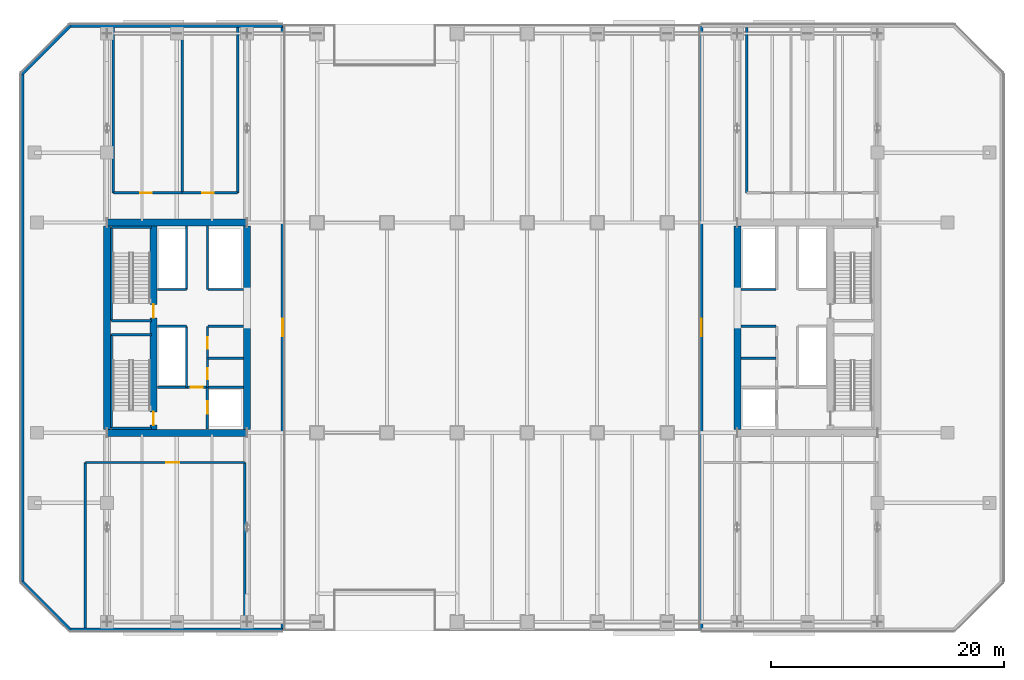
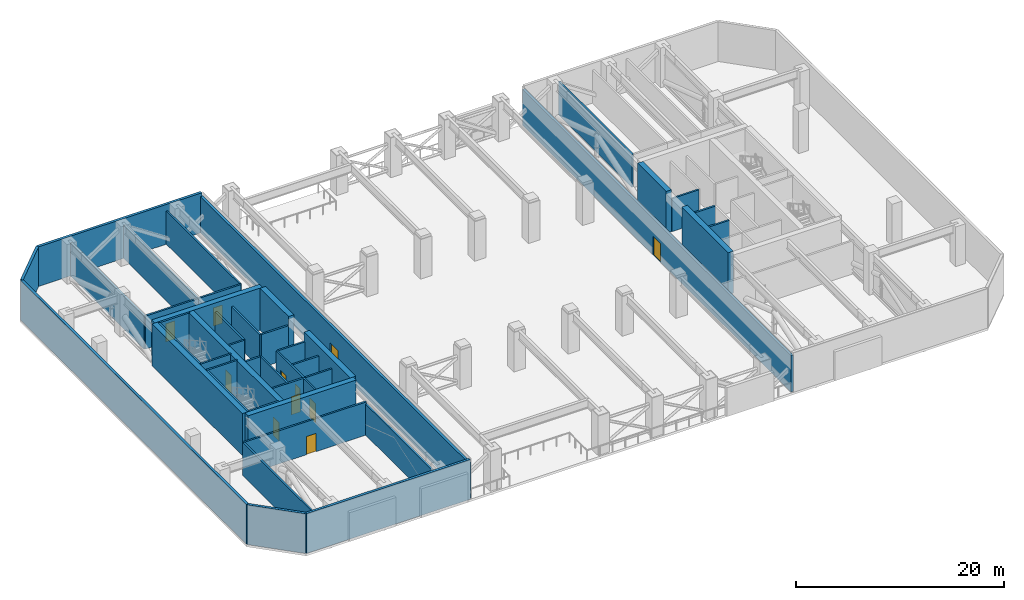
# One storey, part 11 of 22: 44 walls, 11 doors, 11 openings.
"""IFC4 building model written with IfcOpenShell, lengths in metres."""

from ifc_helpers import new_model, si_unit, direction, frame, frame_2d, origin, place, context, subcontext, project, spatial, rectangle, extrude, material, layer, layer_set, type_object, element, fill, save


model = new_model("IFC4")

# Units and contexts
model_context = context("Model", 3, precision=1e-05, world=origin(), true_north=direction((0.0, 1.0)))
body_context = subcontext(model_context, "Body", "Model", "MODEL_VIEW")
ifc_project = project(units=[si_unit("LENGTHUNIT", "METRE"), si_unit("AREAUNIT", "SQUARE_METRE"), si_unit("VOLUMEUNIT", "CUBIC_METRE"), si_unit("PLANEANGLEUNIT", "RADIAN"), si_unit("MASSUNIT", "GRAM", prefix="KILO")], contexts=[model_context])

# Site, building, storey
site_placement = place(None, origin())
site = spatial("IfcSite", under=ifc_project, at=site_placement, CompositionType="ELEMENT")
building_placement = place(site_placement, origin())
building = spatial("IfcBuilding", under=site, at=building_placement, Name="Tanjung Sevakor Pilgrim Tower", CompositionType="ELEMENT")
storey_placement = place(building_placement, frame((0.0, 0.0, 73.260009765625)))
storey = spatial("IfcBuildingStorey", under=building, at=storey_placement, Name="L20", CompositionType="ELEMENT", Elevation=73.260009765625)

# Walls
ifc_material_1 = material(Name="Concrete C60/75", Category="concrete")
ifc_layer_1 = layer(ifc_material_1, 0.60009765625)
ifc_layer_set_1 = layer_set([ifc_layer_1], Name="WALL-CW-600")
wall_type_1 = type_object("IfcWallType", Name="WALL-CW-600", PredefinedType="SHEAR", material=ifc_layer_set_1)
for number, where, z_axis, x_axis, name in (
    (1, (24.0, 24.60009765625, 0.0), (0.0, 0.0, 1.0), (1.0, 0.0, 0.0), "L20 W Core South Shear Wall"),
    (2, (36.0, 42.60009765625, 0.0), (0.0, 0.0, 1.0), (-1.0, 0.0, 0.0), "L20 W Core North Shear Wall"),
):
    element("IfcWall", number, at=place(storey_placement, frame(where, z_axis=z_axis, x_axis=x_axis)), inside=storey, type_object=wall_type_1, Name=name, PredefinedType="SHEAR", context=body_context, shape_type="SweptSolid", body=[
        extrude(rectangle(XDim=12.0, YDim=0.60009765625, at=frame_2d((6.0, 0.0))), origin(), (0.0, 0.0, 1.0), 4.949951171875),
    ])
wall_1_placement = place(storey_placement, frame((24.0, 24.89990234375, 0.0), z_axis=(0.0, 0.0, 1.0), x_axis=(0.0, 1.0, 0.0)))
element("IfcWall", 3, at=wall_1_placement, inside=storey, type_object=wall_type_1, Name="L20 W Core Outer Shear Wall", PredefinedType="SHEAR", context=body_context, shape_type="SweptSolid", body=[
    extrude(rectangle(XDim=17.400146484375, YDim=0.60009765625, at=frame_2d((8.7001953125, 0.0))), origin(), (0.0, 0.0, 1.0), 4.949951171875),
])
wall_2_placement = place(storey_placement, frame((36.0, 24.89990234375, 0.0), z_axis=(0.0, 0.0, 1.0), x_axis=(0.0, 1.0, 0.0)))
element("IfcWall", 4, at=wall_2_placement, inside=storey, type_object=wall_type_1, Name="L20 W Core Inner Shear Wall South", PredefinedType="SHEAR", context=body_context, shape_type="SweptSolid", body=[
    extrude(rectangle(XDim=8.900146484375, YDim=0.60009765625, at=frame_2d((4.4501953125, 0.0))), origin(), (0.0, 0.0, 1.0), 4.949951171875),
])
wall_3_placement = place(storey_placement, frame((36.0, 36.800048828125, 0.0), z_axis=(0.0, 0.0, 1.0), x_axis=(0.0, 1.0, 0.0)))
element("IfcWall", 5, at=wall_3_placement, inside=storey, type_object=wall_type_1, Name="L20 W Core Inner Shear Wall North", PredefinedType="SHEAR", context=body_context, shape_type="SweptSolid", body=[
    extrude(rectangle(XDim=5.5, YDim=0.60009765625, at=frame_2d((2.75, 0.0))), origin(), (0.0, 0.0, 1.0), 4.949951171875),
])

# Wall, openings, doors
wall_4_placement = place(storey_placement, frame((28.0, 24.89990234375, 0.0), z_axis=(0.0, 0.0, 1.0), x_axis=(0.0, 1.0, 0.0)))
wall_4 = element("IfcWall", 6, at=wall_4_placement, inside=storey, type_object=wall_type_1, Name="L20 W Core Stair Spine Wall", PredefinedType="SHEAR", context=body_context, shape_type="SweptSolid", body=[
    extrude(rectangle(XDim=17.400146484375, YDim=0.60009765625, at=frame_2d((8.7001953125, 0.0))), origin(), (0.0, 0.0, 1.0), 4.949951171875),
])
opening_1_placement = place(wall_4_placement, frame((0.35009765625, 0.0, 0.0)))
opening_1 = element("IfcOpeningElement", 7, at=opening_1_placement, cuts=wall_4, Name="Opening ID-ST1", PredefinedType="OPENING", context=body_context, shape_type="SweptSolid", body=[
    extrude(rectangle(XDim=1.14990234375, YDim=2.14990234375, at=frame_2d((0.574951171875, 1.074951171875))), frame((0.0, 0.31005859375, 0.0), z_axis=(0.0, -1.0, 0.0), x_axis=(1.0, 0.0, 0.0)), (0.0, 0.0, 1.0), 0.6201171875),
])
opening_2_placement = place(wall_4_placement, frame((9.550048828125, 0.0, 0.0)))
opening_2 = element("IfcOpeningElement", 8, at=opening_2_placement, cuts=wall_4, Name="Opening ID-ST1", PredefinedType="OPENING", context=body_context, shape_type="SweptSolid", body=[
    extrude(rectangle(XDim=1.14990234375, YDim=2.14990234375, at=frame_2d((0.574951171875, 1.074951171875))), frame((0.0, 0.31005859375, 0.0), z_axis=(0.0, -1.0, 0.0), x_axis=(1.0, 0.0, 0.0)), (0.0, 0.0, 1.0), 0.6201171875),
])
ifc_material_2 = material(Name="Fire-Rated Steel S355J2", Category="steel")
door_type_1 = type_object("IfcDoorType", Name="DT-FIRE-1150", OperationType="NOTDEFINED", PredefinedType="DOOR", material=ifc_material_2)
door_1_placement = place(opening_1_placement, origin())
door_1 = element("IfcDoor", 9, at=door_1_placement, inside=storey, type_object=door_type_1, Name="L20 TS-W1 Stair Fire Door", OperationType="SINGLE_SWING_LEFT", OverallHeight=2.14990234375, OverallWidth=1.14990234375, PredefinedType="DOOR", context=body_context, shape_type="SweptSolid", body=[
    extrude(rectangle(XDim=1.14990234375, YDim=2.14990234375, at=frame_2d((0.574951171875, 1.074951171875))), frame((0.0, 0.02490234375, 0.0), z_axis=(0.0, -1.0, 0.0), x_axis=(1.0, 0.0, 0.0)), (0.0, 0.0, 1.0), 0.050048828125),
])
fill(opening_1, door_1)
door_2_placement = place(opening_2_placement, origin())
door_2 = element("IfcDoor", 10, at=door_2_placement, inside=storey, type_object=door_type_1, Name="L20 TS-W2 Stair Fire Door", OperationType="SINGLE_SWING_RIGHT", OverallHeight=2.14990234375, OverallWidth=1.14990234375, PredefinedType="DOOR", context=body_context, shape_type="SweptSolid", body=[
    extrude(rectangle(XDim=1.14990234375, YDim=2.14990234375, at=frame_2d((0.574951171875, 1.074951171875))), frame((0.0, 0.02490234375, 0.0), z_axis=(0.0, -1.0, 0.0), x_axis=(1.0, 0.0, 0.0)), (0.0, 0.0, 1.0), 0.050048828125),
])
fill(opening_2, door_2)

# Walls
wall_5_placement = place(storey_placement, frame((78.0, 24.89990234375, 0.0), z_axis=(0.0, 0.0, 1.0), x_axis=(0.0, 1.0, 0.0)))
element("IfcWall", 11, at=wall_5_placement, inside=storey, type_object=wall_type_1, Name="L20 E Core Inner Shear Wall South", PredefinedType="SHEAR", context=body_context, shape_type="SweptSolid", body=[
    extrude(rectangle(XDim=8.900146484375, YDim=0.60009765625, at=frame_2d((4.4501953125, 0.0))), origin(), (0.0, 0.0, 1.0), 4.949951171875),
])
wall_6_placement = place(storey_placement, frame((78.0, 36.800048828125, 0.0), z_axis=(0.0, 0.0, 1.0), x_axis=(0.0, 1.0, 0.0)))
element("IfcWall", 12, at=wall_6_placement, inside=storey, type_object=wall_type_1, Name="L20 E Core Inner Shear Wall North", PredefinedType="SHEAR", context=body_context, shape_type="SweptSolid", body=[
    extrude(rectangle(XDim=5.5, YDim=0.60009765625, at=frame_2d((2.75, 0.0))), origin(), (0.0, 0.0, 1.0), 4.949951171875),
])
ifc_material_3 = material(Name="Precast concrete C45/55", Category="concrete")
ifc_layer_2 = layer(ifc_material_3, 0.280029296875)
ifc_layer_set_2 = layer_set([ifc_layer_2], Name="WT-EW-STN2")
wall_type_2 = type_object("IfcWallType", Name="WT-EW-STN2", PredefinedType="SOLIDWALL", material=ifc_layer_set_2)
wall_7_placement = place(storey_placement, frame((20.85791015625, 7.739990234375, 0.0), z_axis=(0.0, 0.0, 1.0), x_axis=(1.0, 0.0, 0.0)))
element("IfcWall", 13, at=wall_7_placement, inside=storey, type_object=wall_type_2, Name="L20 West Refuge Wing Wall 1", PredefinedType="SOLIDWALL", context=body_context, shape_type="SweptSolid", body=[
    extrude(rectangle(XDim=18.2021484375, YDim=0.280029296875, at=frame_2d((9.10107421875, 0.0))), origin(), (0.0, 0.0, 1.0), 4.669921875),
])

# Wall, opening, door
wall_8_placement = place(storey_placement, frame((39.06005859375, 7.739990234375, 0.0), z_axis=(0.0, 0.0, 1.0), x_axis=(0.0, 1.0, 0.0)))
wall_8 = element("IfcWall", 14, at=wall_8_placement, inside=storey, type_object=wall_type_2, Name="L20 West Refuge Wing Wall 2", PredefinedType="SOLIDWALL", context=body_context, shape_type="SweptSolid", body=[
    extrude(rectangle(XDim=51.719970703125, YDim=0.280029296875, at=frame_2d((25.85986328125, 0.0))), origin(), (0.0, 0.0, 1.0), 4.24560546875),
])
opening_3_placement = place(wall_8_placement, frame((25.110107421875, 0.0, 0.0)))
opening_3 = element("IfcOpeningElement", 15, at=opening_3_placement, cuts=wall_8, Name="Opening ED-TER-1500", PredefinedType="OPENING", context=body_context, shape_type="SweptSolid", body=[
    extrude(rectangle(XDim=1.5, YDim=2.199951171875, at=frame_2d((0.75, 1.10009765625))), frame((0.0, 0.14990234375, 0.0), z_axis=(0.0, -1.0, 0.0), x_axis=(1.0, 0.0, 0.0)), (0.0, 0.0, 1.0), 0.300048828125),
])
ifc_material_4 = material(Name="Anodised Aluminium and Laminated Glass", Category="aluminium")
door_type_2 = type_object("IfcDoorType", Name="DTYP-ED-TER-1500", OperationType="DOUBLE_DOOR_SINGLE_SWING", PredefinedType="DOOR", material=ifc_material_4)
door_3_placement = place(opening_3_placement, origin())
door_3 = element("IfcDoor", 16, at=door_3_placement, inside=storey, type_object=door_type_2, Name="L20 West Turbine Portal Door", OperationType="SINGLE_SWING_RIGHT", OverallHeight=2.199951171875, OverallWidth=1.5, PredefinedType="DOOR", context=body_context, shape_type="SweptSolid", body=[
    extrude(rectangle(XDim=1.5, YDim=2.199951171875, at=frame_2d((0.75, 1.10009765625))), frame((0.0, 0.02490234375, 0.0), z_axis=(0.0, -1.0, 0.0), x_axis=(1.0, 0.0, 0.0)), (0.0, 0.0, 1.0), 0.050048828125),
])
fill(opening_3, door_3)

# Walls
wall_9_placement = place(storey_placement, frame((39.06005859375, 59.4599609375, 0.0), z_axis=(0.0, 0.0, 1.0), x_axis=(-1.0, 0.0, 0.0)))
element("IfcWall", 17, at=wall_9_placement, inside=storey, type_object=wall_type_2, Name="L20 West Refuge Wing Wall 3", PredefinedType="SOLIDWALL", context=body_context, shape_type="SweptSolid", body=[
    extrude(rectangle(XDim=18.2021484375, YDim=0.280029296875, at=frame_2d((9.10107421875, 0.0))), origin(), (0.0, 0.0, 1.0), 4.669921875),
])
wall_10_placement = place(storey_placement, frame((20.85791015625, 59.4599609375, 0.0), z_axis=(0.0, 0.0, 1.0), x_axis=(-0.707106781187, -0.707106781187, 0.0)))
element("IfcWall", 18, at=wall_10_placement, inside=storey, type_object=wall_type_2, Name="L20 West Refuge Wing Wall 4", PredefinedType="SOLIDWALL", context=body_context, shape_type="SweptSolid", body=[
    extrude(rectangle(XDim=5.82373046875, YDim=0.280029296875, at=frame_2d((2.911865234375, 0.0))), origin(), (0.0, 0.0, 1.0), 4.669921875),
])
wall_11_placement = place(storey_placement, frame((16.739990234375, 55.342041015625, 0.0), z_axis=(0.0, 0.0, 1.0), x_axis=(0.0, -1.0, 0.0)))
element("IfcWall", 19, at=wall_11_placement, inside=storey, type_object=wall_type_2, Name="L20 West Refuge Wing Wall 5", PredefinedType="SOLIDWALL", context=body_context, shape_type="SweptSolid", body=[
    extrude(rectangle(XDim=43.484130859375, YDim=0.280029296875, at=frame_2d((21.7421875, 0.0))), origin(), (0.0, 0.0, 1.0), 4.669921875),
])
wall_12_placement = place(storey_placement, frame((16.739990234375, 11.85791015625, 0.0), z_axis=(0.0, 0.0, 1.0), x_axis=(0.707106781187, -0.707106781187, 0.0)))
element("IfcWall", 20, at=wall_12_placement, inside=storey, type_object=wall_type_2, Name="L20 West Refuge Wing Wall 6", PredefinedType="SOLIDWALL", context=body_context, shape_type="SweptSolid", body=[
    extrude(rectangle(XDim=5.82373046875, YDim=0.280029296875, at=frame_2d((2.911865234375, 0.0))), origin(), (0.0, 0.0, 1.0), 4.669921875),
])

# Wall, opening, door
wall_13_placement = place(storey_placement, frame((74.93994140625, 59.4599609375, 0.0), z_axis=(0.0, 0.0, 1.0), x_axis=(0.0, -1.0, 0.0)))
wall_13 = element("IfcWall", 21, at=wall_13_placement, inside=storey, type_object=wall_type_2, Name="L20 East Refuge Wing Wall 6", PredefinedType="SOLIDWALL", context=body_context, shape_type="SweptSolid", body=[
    extrude(rectangle(XDim=51.719970703125, YDim=0.280029296875, at=frame_2d((25.85986328125, 0.0))), origin(), (0.0, 0.0, 1.0), 4.24560546875),
])
opening_4_placement = place(wall_13_placement, frame((25.110107421875, 0.0, 0.0)))
opening_4 = element("IfcOpeningElement", 22, at=opening_4_placement, cuts=wall_13, Name="Opening ED-TER-1500", PredefinedType="OPENING", context=body_context, shape_type="SweptSolid", body=[
    extrude(rectangle(XDim=1.5, YDim=2.199951171875, at=frame_2d((0.75, 1.10009765625))), frame((0.0, 0.14990234375, 0.0), z_axis=(0.0, -1.0, 0.0), x_axis=(1.0, 0.0, 0.0)), (0.0, 0.0, 1.0), 0.300048828125),
])
door_4_placement = place(opening_4_placement, origin())
door_4 = element("IfcDoor", 23, at=door_4_placement, inside=storey, type_object=door_type_2, Name="L20 East Turbine Portal Door", OperationType="SINGLE_SWING_LEFT", OverallHeight=2.199951171875, OverallWidth=1.5, PredefinedType="DOOR", context=body_context, shape_type="SweptSolid", body=[
    extrude(rectangle(XDim=1.5, YDim=2.199951171875, at=frame_2d((0.75, 1.10009765625))), frame((0.0, 0.02490234375, 0.0), z_axis=(0.0, -1.0, 0.0), x_axis=(1.0, 0.0, 0.0)), (0.0, 0.0, 1.0), 0.050048828125),
])
fill(opening_4, door_4)

# Walls
ifc_material_5 = material(Name="Concrete C40/50", Category="concrete")
ifc_layer_3 = layer(ifc_material_5, 0.199951171875)
ifc_layer_set_3 = layer_set([ifc_layer_3], Name="WT-FIRE-200")
wall_type_3 = type_object("IfcWallType", Name="WT-FIRE-200", PredefinedType="SOLIDWALL", material=ifc_layer_set_3)
for number, where, z_axis, x_axis, name in (
    (24, (24.39990234375, 25.0, 0.0), (0.0, 0.0, 1.0), (1.0, 0.0, 0.0), "L20 TS-W1 Shaft Wall 1"),
    (25, (27.800048828125, 33.0, 0.0), (0.0, 0.0, 1.0), (-1.0, 0.0, 0.0), "L20 TS-W1 Shaft Wall 2"),
):
    element("IfcWall", number, at=place(storey_placement, frame(where, z_axis=z_axis, x_axis=x_axis)), inside=storey, type_object=wall_type_3, Name=name, PredefinedType="SOLIDWALL", context=body_context, shape_type="SweptSolid", body=[
        extrude(rectangle(XDim=3.400146484375, YDim=0.199951171875, at=frame_2d((1.7001953125, 0.0))), origin(), (0.0, 0.0, 1.0), 4.949951171875),
    ])
wall_14_placement = place(storey_placement, frame((24.39990234375, 33.0, 0.0), z_axis=(0.0, 0.0, 1.0), x_axis=(0.0, -1.0, 0.0)))
element("IfcWall", 26, at=wall_14_placement, inside=storey, type_object=wall_type_3, Name="L20 TS-W1 Shaft Wall 3", PredefinedType="SOLIDWALL", context=body_context, shape_type="SweptSolid", body=[
    extrude(rectangle(XDim=8.0, YDim=0.199951171875, at=frame_2d((4.0, 0.0))), origin(), (0.0, 0.0, 1.0), 4.949951171875),
])
for number, where, z_axis, x_axis, name in (
    (27, (24.39990234375, 34.199951171875, 0.0), (0.0, 0.0, 1.0), (1.0, 0.0, 0.0), "L20 TS-W2 Shaft Wall 1"),
    (28, (27.800048828125, 42.199951171875, 0.0), (0.0, 0.0, 1.0), (-1.0, 0.0, 0.0), "L20 TS-W2 Shaft Wall 2"),
):
    element("IfcWall", number, at=place(storey_placement, frame(where, z_axis=z_axis, x_axis=x_axis)), inside=storey, type_object=wall_type_3, Name=name, PredefinedType="SOLIDWALL", context=body_context, shape_type="SweptSolid", body=[
        extrude(rectangle(XDim=3.400146484375, YDim=0.199951171875, at=frame_2d((1.7001953125, 0.0))), origin(), (0.0, 0.0, 1.0), 4.949951171875),
    ])
wall_15_placement = place(storey_placement, frame((24.39990234375, 42.199951171875, 0.0), z_axis=(0.0, 0.0, 1.0), x_axis=(0.0, -1.0, 0.0)))
element("IfcWall", 29, at=wall_15_placement, inside=storey, type_object=wall_type_3, Name="L20 TS-W2 Shaft Wall 3", PredefinedType="SOLIDWALL", context=body_context, shape_type="SweptSolid", body=[
    extrude(rectangle(XDim=8.0, YDim=0.199951171875, at=frame_2d((4.0, 0.0))), origin(), (0.0, 0.0, 1.0), 4.949951171875),
])

# Wall, opening, door
ifc_material_6 = material(Name="Concrete C40/50", Category="concrete")
ifc_layer_4 = layer(ifc_material_6, 0.199951171875)
ifc_layer_set_4 = layer_set([ifc_layer_4], Name="WT-FPRT-200")
wall_type_4 = type_object("IfcWallType", Name="WT-FPRT-200", PredefinedType="SOLIDWALL", material=ifc_layer_set_4)
wall_16_placement = place(storey_placement, frame((32.60009765625, 24.919921875, 0.0), z_axis=(0.0, 0.0, 1.0), x_axis=(0.0, 1.0, 0.0)))
wall_16 = element("IfcWall", 30, at=wall_16_placement, inside=storey, type_object=wall_type_4, Name="L20 Partition IW-L20-001", PredefinedType="SOLIDWALL", context=body_context, shape_type="SweptSolid", body=[
    extrude(rectangle(XDim=3.580078125, YDim=0.199951171875, at=frame_2d((1.7900390625, 0.0))), origin(), (0.0, 0.0, 1.0), 3.889892578125),
])
opening_5_placement = place(wall_16_placement, frame((1.300048828125, 0.0, 0.0)))
opening_5 = element("IfcOpeningElement", 31, at=opening_5_placement, cuts=wall_16, Name="Opening LD-1100", PredefinedType="OPENING", context=body_context, shape_type="SweptSolid", body=[
    extrude(rectangle(XDim=1.10009765625, YDim=2.199951171875, at=frame_2d((0.550048828125, 1.10009765625))), frame((0.0, 0.10986328125, 0.0), z_axis=(0.0, -1.0, 0.0), x_axis=(1.0, 0.0, 0.0)), (0.0, 0.0, 1.0), 0.219970703125),
])
ifc_material_7 = material(Name="Brushed Stainless Steel S355J2", Category="steel")
door_type_3 = type_object("IfcDoorType", Name="DT-LIFT-1100", OperationType="SLIDING_TO_LEFT", PredefinedType="DOOR", material=ifc_material_7)
door_5_placement = place(opening_5_placement, origin())
door_5 = element("IfcDoor", 32, at=door_5_placement, inside=storey, type_object=door_type_3, Name="LD-FL-W", OperationType="SLIDING_TO_LEFT", OverallHeight=2.199951171875, OverallWidth=1.10009765625, PredefinedType="DOOR", context=body_context, shape_type="SweptSolid", body=[
    extrude(rectangle(XDim=1.10009765625, YDim=2.199951171875, at=frame_2d((0.550048828125, 1.10009765625))), frame((0.0, 0.02490234375, 0.0), z_axis=(0.0, -1.0, 0.0), x_axis=(1.0, 0.0, 0.0)), (0.0, 0.0, 1.0), 0.050048828125),
])
fill(opening_5, door_5)

wall_17_placement = place(storey_placement, frame((28.320068359375, 28.5, 0.0), z_axis=(0.0, 0.0, 1.0), x_axis=(1.0, 0.0, 0.0)))
wall_17 = element("IfcWall", 33, at=wall_17_placement, inside=storey, type_object=wall_type_4, Name="L20 Partition IW-L20-002", PredefinedType="SOLIDWALL", context=body_context, shape_type="SweptSolid", body=[
    extrude(rectangle(XDim=7.35986328125, YDim=0.199951171875, at=frame_2d((3.679931640625, 0.0))), origin(), (0.0, 0.0, 1.0), 3.889892578125),
])
opening_6_placement = place(wall_17_placement, frame((2.8798828125, 0.0, 0.0)))
opening_6 = element("IfcOpeningElement", 34, at=opening_6_placement, cuts=wall_17, Name="Opening ID-FD1", PredefinedType="OPENING", context=body_context, shape_type="SweptSolid", body=[
    extrude(rectangle(XDim=1.0, YDim=2.14990234375, at=frame_2d((0.5, 1.074951171875))), frame((0.0, 0.10986328125, 0.0), z_axis=(0.0, -1.0, 0.0), x_axis=(1.0, 0.0, 0.0)), (0.0, 0.0, 1.0), 0.219970703125),
])
ifc_material_8 = material(Name="Fire-Rated Steel S355J2", Category="steel")
door_type_4 = type_object("IfcDoorType", Name="DT-FIRE-1000", OperationType="NOTDEFINED", PredefinedType="DOOR", material=ifc_material_8)
door_6_placement = place(opening_6_placement, origin())
door_6 = element("IfcDoor", 35, at=door_6_placement, inside=storey, type_object=door_type_4, Name="Fire Lobby Door W", OperationType="SINGLE_SWING_LEFT", OverallHeight=2.14990234375, OverallWidth=1.0, PredefinedType="DOOR", context=body_context, shape_type="SweptSolid", body=[
    extrude(rectangle(XDim=1.0, YDim=2.14990234375, at=frame_2d((0.5, 1.074951171875))), frame((0.0, 0.02490234375, 0.0), z_axis=(0.0, -1.0, 0.0), x_axis=(1.0, 0.0, 0.0)), (0.0, 0.0, 1.0), 0.050048828125),
])
fill(opening_6, door_6)

# Walls
wall_18_placement = place(storey_placement, frame((28.320068359375, 33.719970703125, 0.0), z_axis=(0.0, 0.0, 1.0), x_axis=(1.0, 0.0, 0.0)))
element("IfcWall", 36, at=wall_18_placement, inside=storey, type_object=wall_type_4, Name="L20 Partition IW-L20-003", PredefinedType="SOLIDWALL", context=body_context, shape_type="SweptSolid", body=[
    extrude(rectangle(XDim=2.47998046875, YDim=0.199951171875, at=frame_2d((1.239990234375, 0.0))), origin(), (0.0, 0.0, 1.0), 3.889892578125),
])
wall_19_placement = place(storey_placement, frame((30.820068359375, 28.5, 0.0), z_axis=(0.0, 0.0, 1.0), x_axis=(0.0, 1.0, 0.0)))
element("IfcWall", 37, at=wall_19_placement, inside=storey, type_object=wall_type_4, Name="L20 Partition IW-L20-004", PredefinedType="SOLIDWALL", context=body_context, shape_type="SweptSolid", body=[
    extrude(rectangle(XDim=5.219970703125, YDim=0.199951171875, at=frame_2d((2.60986328125, 0.0))), origin(), (0.0, 0.0, 1.0), 3.889892578125),
])
for number, where, z_axis, x_axis, name in (
    (38, (32.679931640625, 30.97998046875, 0.0), (0.0, 0.0, 1.0), (1.0, 0.0, 0.0), "L20 Partition IW-L20-005"),
    (39, (32.679931640625, 33.719970703125, 0.0), (0.0, 0.0, 1.0), (1.0, 0.0, 0.0), "L20 Partition IW-L20-006"),
):
    element("IfcWall", number, at=place(storey_placement, frame(where, z_axis=z_axis, x_axis=x_axis)), inside=storey, type_object=wall_type_4, Name=name, PredefinedType="SOLIDWALL", context=body_context, shape_type="SweptSolid", body=[
        extrude(rectangle(XDim=3.0, YDim=0.199951171875, at=frame_2d((1.5, 0.0))), origin(), (0.0, 0.0, 1.0), 3.889892578125),
    ])

# Wall, openings, doors
wall_20_placement = place(storey_placement, frame((32.6201171875, 28.5, 0.0), z_axis=(0.0, 0.0, 1.0), x_axis=(0.0, 1.0, 0.0)))
wall_20 = element("IfcWall", 40, at=wall_20_placement, inside=storey, type_object=wall_type_4, Name="L20 Partition IW-L20-007", PredefinedType="SOLIDWALL", context=body_context, shape_type="SweptSolid", body=[
    extrude(rectangle(XDim=5.219970703125, YDim=0.199951171875, at=frame_2d((2.60986328125, 0.0))), origin(), (0.0, 0.0, 1.0), 3.889892578125),
])
opening_7_placement = place(wall_20_placement, frame((0.699951171875, 0.0, 0.0)))
opening_7 = element("IfcOpeningElement", 41, at=opening_7_placement, cuts=wall_20, Name="Opening ID-FD2", PredefinedType="OPENING", context=body_context, shape_type="SweptSolid", body=[
    extrude(rectangle(XDim=0.949951171875, YDim=2.14990234375, at=frame_2d((0.47509765625, 1.074951171875))), frame((0.0, 0.10986328125, 0.0), z_axis=(0.0, -1.0, 0.0), x_axis=(1.0, 0.0, 0.0)), (0.0, 0.0, 1.0), 0.219970703125),
])
opening_8_placement = place(wall_20_placement, frame((3.300048828125, 0.0, 0.0)))
opening_8 = element("IfcOpeningElement", 42, at=opening_8_placement, cuts=wall_20, Name="Opening ID-FD1", PredefinedType="OPENING", context=body_context, shape_type="SweptSolid", body=[
    extrude(rectangle(XDim=1.0, YDim=2.14990234375, at=frame_2d((0.5, 1.074951171875))), frame((0.0, 0.10986328125, 0.0), z_axis=(0.0, -1.0, 0.0), x_axis=(1.0, 0.0, 0.0)), (0.0, 0.0, 1.0), 0.219970703125),
])
door_7_placement = place(opening_8_placement, origin())
door_7 = element("IfcDoor", 43, at=door_7_placement, inside=storey, type_object=door_type_4, Name="L20 Core AHU Plant Door", OperationType="SINGLE_SWING_LEFT", OverallHeight=2.14990234375, OverallWidth=1.0, PredefinedType="DOOR", context=body_context, shape_type="SweptSolid", body=[
    extrude(rectangle(XDim=1.0, YDim=2.14990234375, at=frame_2d((0.5, 1.074951171875))), frame((0.0, 0.02490234375, 0.0), z_axis=(0.0, -1.0, 0.0), x_axis=(1.0, 0.0, 0.0)), (0.0, 0.0, 1.0), 0.050048828125),
])
fill(opening_8, door_7)
ifc_material_9 = material(Name="Fire-Rated Timber", Category="wood")
door_type_5 = type_object("IfcDoorType", Name="DT-FIRE-950", OperationType="NOTDEFINED", PredefinedType="DOOR", material=ifc_material_9)
door_8_placement = place(opening_7_placement, origin())
door_8 = element("IfcDoor", 44, at=door_8_placement, inside=storey, type_object=door_type_5, Name="L20 Core Accessible WC Door", OperationType="SINGLE_SWING_RIGHT", OverallHeight=2.14990234375, OverallWidth=0.949951171875, PredefinedType="DOOR", context=body_context, shape_type="SweptSolid", body=[
    extrude(rectangle(XDim=0.949951171875, YDim=2.14990234375, at=frame_2d((0.47509765625, 1.074951171875))), frame((0.0, 0.02490234375, 0.0), z_axis=(0.0, -1.0, 0.0), x_axis=(1.0, 0.0, 0.0)), (0.0, 0.0, 1.0), 0.050048828125),
])
fill(opening_7, door_8)

# Walls
wall_21_placement = place(storey_placement, frame((28.320068359375, 36.8798828125, 0.0), z_axis=(0.0, 0.0, 1.0), x_axis=(1.0, 0.0, 0.0)))
element("IfcWall", 45, at=wall_21_placement, inside=storey, type_object=wall_type_4, Name="L20 Partition IW-L20-008", PredefinedType="SOLIDWALL", context=body_context, shape_type="SweptSolid", body=[
    extrude(rectangle(XDim=2.47998046875, YDim=0.199951171875, at=frame_2d((1.239990234375, 0.0))), origin(), (0.0, 0.0, 1.0), 3.889892578125),
])
wall_22_placement = place(storey_placement, frame((30.820068359375, 36.8798828125, 0.0), z_axis=(0.0, 0.0, 1.0), x_axis=(0.0, 1.0, 0.0)))
element("IfcWall", 46, at=wall_22_placement, inside=storey, type_object=wall_type_4, Name="L20 Partition IW-L20-009", PredefinedType="SOLIDWALL", context=body_context, shape_type="SweptSolid", body=[
    extrude(rectangle(XDim=5.420166015625, YDim=0.199951171875, at=frame_2d((2.7099609375, 0.0))), origin(), (0.0, 0.0, 1.0), 3.889892578125),
])
wall_23_placement = place(storey_placement, frame((32.679931640625, 36.8798828125, 0.0), z_axis=(0.0, 0.0, 1.0), x_axis=(1.0, 0.0, 0.0)))
element("IfcWall", 47, at=wall_23_placement, inside=storey, type_object=wall_type_4, Name="L20 Partition IW-L20-010", PredefinedType="SOLIDWALL", context=body_context, shape_type="SweptSolid", body=[
    extrude(rectangle(XDim=3.0, YDim=0.199951171875, at=frame_2d((1.5, 0.0))), origin(), (0.0, 0.0, 1.0), 3.889892578125),
])
wall_24_placement = place(storey_placement, frame((32.6201171875, 36.8798828125, 0.0), z_axis=(0.0, 0.0, 1.0), x_axis=(0.0, 1.0, 0.0)))
element("IfcWall", 48, at=wall_24_placement, inside=storey, type_object=wall_type_4, Name="L20 Partition IW-L20-011", PredefinedType="SOLIDWALL", context=body_context, shape_type="SweptSolid", body=[
    extrude(rectangle(XDim=5.420166015625, YDim=0.199951171875, at=frame_2d((2.7099609375, 0.0))), origin(), (0.0, 0.0, 1.0), 3.889892578125),
])
for number, where, z_axis, x_axis, name in (
    (49, (78.320068359375, 30.97998046875, 0.0), (0.0, 0.0, 1.0), (1.0, 0.0, 0.0), "L20 Partition IW-L20-016"),
    (50, (78.320068359375, 33.719970703125, 0.0), (0.0, 0.0, 1.0), (1.0, 0.0, 0.0), "L20 Partition IW-L20-017"),
    (51, (78.320068359375, 36.8798828125, 0.0), (0.0, 0.0, 1.0), (1.0, 0.0, 0.0), "L20 Partition IW-L20-021"),
):
    element("IfcWall", number, at=place(storey_placement, frame(where, z_axis=z_axis, x_axis=x_axis)), inside=storey, type_object=wall_type_4, Name=name, PredefinedType="SOLIDWALL", context=body_context, shape_type="SweptSolid", body=[
        extrude(rectangle(XDim=3.0, YDim=0.199951171875, at=frame_2d((1.5, 0.0))), origin(), (0.0, 0.0, 1.0), 3.889892578125),
    ])

# Wall, opening, door
wall_25_placement = place(storey_placement, frame((22.14990234375, 22.050048828125, 0.0), z_axis=(0.0, 0.0, 1.0), x_axis=(1.0, 0.0, 0.0)))
wall_25 = element("IfcWall", 52, at=wall_25_placement, inside=storey, type_object=wall_type_4, Name="L20 Partition IW-L20-023", PredefinedType="SOLIDWALL", context=body_context, shape_type="SweptSolid", body=[
    extrude(rectangle(XDim=13.650146484375, YDim=0.199951171875, at=frame_2d((6.8251953125, 0.0))), origin(), (0.0, 0.0, 1.0), 3.889892578125),
])
opening_9_placement = place(wall_25_placement, frame((6.949951171875, 0.0, 0.0)))
opening_9 = element("IfcOpeningElement", 53, at=opening_9_placement, cuts=wall_25, Name="Opening ID-FD0", PredefinedType="OPENING", context=body_context, shape_type="SweptSolid", body=[
    extrude(rectangle(XDim=1.10009765625, YDim=2.14990234375, at=frame_2d((0.550048828125, 1.074951171875))), frame((0.0, 0.10986328125, 0.0), z_axis=(0.0, -1.0, 0.0), x_axis=(1.0, 0.0, 0.0)), (0.0, 0.0, 1.0), 0.219970703125),
])
ifc_material_10 = material(Name="Fire-Rated Steel S355J2", Category="steel")
door_type_6 = type_object("IfcDoorType", Name="DT-FIRE-1100", OperationType="NOTDEFINED", PredefinedType="DOOR", material=ifc_material_10)
door_9_placement = place(opening_9_placement, origin())
door_9 = element("IfcDoor", 54, at=door_9_placement, inside=storey, type_object=door_type_6, Name="L20 Refuge West Lobby Door", OperationType="SINGLE_SWING_RIGHT", OverallHeight=2.14990234375, OverallWidth=1.10009765625, PredefinedType="DOOR", context=body_context, shape_type="SweptSolid", body=[
    extrude(rectangle(XDim=1.10009765625, YDim=2.14990234375, at=frame_2d((0.550048828125, 1.074951171875))), frame((0.0, 0.02490234375, 0.0), z_axis=(0.0, -1.0, 0.0), x_axis=(1.0, 0.0, 0.0)), (0.0, 0.0, 1.0), 0.050048828125),
])
fill(opening_9, door_9)

# Walls
wall_26_placement = place(storey_placement, frame((22.14990234375, 7.8798828125, 0.0), z_axis=(0.0, 0.0, 1.0), x_axis=(0.0, 1.0, 0.0)))
element("IfcWall", 55, at=wall_26_placement, inside=storey, type_object=wall_type_4, Name="L20 Partition IW-L20-024", PredefinedType="SOLIDWALL", context=body_context, shape_type="SweptSolid", body=[
    extrude(rectangle(XDim=14.170166015625, YDim=0.199951171875, at=frame_2d((7.0849609375, 0.0))), origin(), (0.0, 0.0, 1.0), 3.889892578125),
])
wall_27_placement = place(storey_placement, frame((35.800048828125, 7.8798828125, 0.0), z_axis=(0.0, 0.0, 1.0), x_axis=(0.0, 1.0, 0.0)))
element("IfcWall", 56, at=wall_27_placement, inside=storey, type_object=wall_type_4, Name="L20 Partition IW-L20-025", PredefinedType="SOLIDWALL", context=body_context, shape_type="SweptSolid", body=[
    extrude(rectangle(XDim=14.170166015625, YDim=0.199951171875, at=frame_2d((7.0849609375, 0.0))), origin(), (0.0, 0.0, 1.0), 3.64697265625),
])

# Wall, opening, door
wall_28_placement = place(storey_placement, frame((24.550048828125, 45.14990234375, 0.0), z_axis=(0.0, 0.0, 1.0), x_axis=(1.0, 0.0, 0.0)))
wall_28 = element("IfcWall", 57, at=wall_28_placement, inside=storey, type_object=wall_type_4, Name="L20 Partition IW-L20-026", PredefinedType="SOLIDWALL", context=body_context, shape_type="SweptSolid", body=[
    extrude(rectangle(XDim=5.89990234375, YDim=0.199951171875, at=frame_2d((2.949951171875, 0.0))), origin(), (0.0, 0.0, 1.0), 3.889892578125),
])
opening_10_placement = place(wall_28_placement, frame((2.300048828125, 0.0, 0.0)))
opening_10 = element("IfcOpeningElement", 58, at=opening_10_placement, cuts=wall_28, Name="Opening ID-FD1", PredefinedType="OPENING", context=body_context, shape_type="SweptSolid", body=[
    extrude(rectangle(XDim=1.0, YDim=2.14990234375, at=frame_2d((0.5, 1.074951171875))), frame((0.0, 0.10986328125, 0.0), z_axis=(0.0, -1.0, 0.0), x_axis=(1.0, 0.0, 0.0)), (0.0, 0.0, 1.0), 0.219970703125),
])
door_10_placement = place(opening_10_placement, origin())
door_10 = element("IfcDoor", 59, at=door_10_placement, inside=storey, type_object=door_type_4, Name="L20 West Tank Plant Door", OperationType="SINGLE_SWING_LEFT", OverallHeight=2.14990234375, OverallWidth=1.0, PredefinedType="DOOR", context=body_context, shape_type="SweptSolid", body=[
    extrude(rectangle(XDim=1.0, YDim=2.14990234375, at=frame_2d((0.5, 1.074951171875))), frame((0.0, 0.02490234375, 0.0), z_axis=(0.0, -1.0, 0.0), x_axis=(1.0, 0.0, 0.0)), (0.0, 0.0, 1.0), 0.050048828125),
])
fill(opening_10, door_10)

# Walls
for number, where, z_axis, x_axis, name in (
    (60, (24.550048828125, 45.14990234375, 0.0), (0.0, 0.0, 1.0), (0.0, 1.0, 0.0), "L20 Partition IW-L20-027"),
    (61, (30.449951171875, 45.14990234375, 0.0), (0.0, 0.0, 1.0), (0.0, 1.0, 0.0), "L20 Partition IW-L20-028"),
):
    element("IfcWall", number, at=place(storey_placement, frame(where, z_axis=z_axis, x_axis=x_axis)), inside=storey, type_object=wall_type_4, Name=name, PredefinedType="SOLIDWALL", context=body_context, shape_type="SweptSolid", body=[
        extrude(rectangle(XDim=14.170166015625, YDim=0.199951171875, at=frame_2d((7.0849609375, 0.0))), origin(), (0.0, 0.0, 1.0), 3.889892578125),
    ])

# Wall, opening, door
wall_29_placement = place(storey_placement, frame((30.449951171875, 45.14990234375, 0.0), z_axis=(0.0, 0.0, 1.0), x_axis=(1.0, 0.0, 0.0)))
wall_29 = element("IfcWall", 62, at=wall_29_placement, inside=storey, type_object=wall_type_4, Name="L20 Partition IW-L20-029", PredefinedType="SOLIDWALL", context=body_context, shape_type="SweptSolid", body=[
    extrude(rectangle(XDim=4.75, YDim=0.199951171875, at=frame_2d((2.375, 0.0))), origin(), (0.0, 0.0, 1.0), 3.889892578125),
])
opening_11_placement = place(wall_29_placement, frame((1.699951171875, 0.0, 0.0)))
opening_11 = element("IfcOpeningElement", 63, at=opening_11_placement, cuts=wall_29, Name="Opening ID-FD1", PredefinedType="OPENING", context=body_context, shape_type="SweptSolid", body=[
    extrude(rectangle(XDim=1.0, YDim=2.14990234375, at=frame_2d((0.5, 1.074951171875))), frame((0.0, 0.10986328125, 0.0), z_axis=(0.0, -1.0, 0.0), x_axis=(1.0, 0.0, 0.0)), (0.0, 0.0, 1.0), 0.219970703125),
])
door_11_placement = place(opening_11_placement, origin())
door_11 = element("IfcDoor", 64, at=door_11_placement, inside=storey, type_object=door_type_4, Name="L20 West AHU Plant Door", OperationType="SINGLE_SWING_RIGHT", OverallHeight=2.14990234375, OverallWidth=1.0, PredefinedType="DOOR", context=body_context, shape_type="SweptSolid", body=[
    extrude(rectangle(XDim=1.0, YDim=2.14990234375, at=frame_2d((0.5, 1.074951171875))), frame((0.0, 0.02490234375, 0.0), z_axis=(0.0, -1.0, 0.0), x_axis=(1.0, 0.0, 0.0)), (0.0, 0.0, 1.0), 0.050048828125),
])
fill(opening_11, door_11)

# Walls
for number, where, z_axis, x_axis, name in (
    (65, (35.199951171875, 45.14990234375, 0.0), (0.0, 0.0, 1.0), (0.0, 1.0, 0.0), "L20 Partition IW-L20-030"),
    (66, (78.800048828125, 45.14990234375, 0.0), (0.0, 0.0, 1.0), (0.0, 1.0, 0.0), "L20 Partition IW-L20-034"),
):
    element("IfcWall", number, at=place(storey_placement, frame(where, z_axis=z_axis, x_axis=x_axis)), inside=storey, type_object=wall_type_4, Name=name, PredefinedType="SOLIDWALL", context=body_context, shape_type="SweptSolid", body=[
        extrude(rectangle(XDim=14.170166015625, YDim=0.199951171875, at=frame_2d((7.0849609375, 0.0))), origin(), (0.0, 0.0, 1.0), 3.889892578125),
    ])

save(model, "model.ifc")
